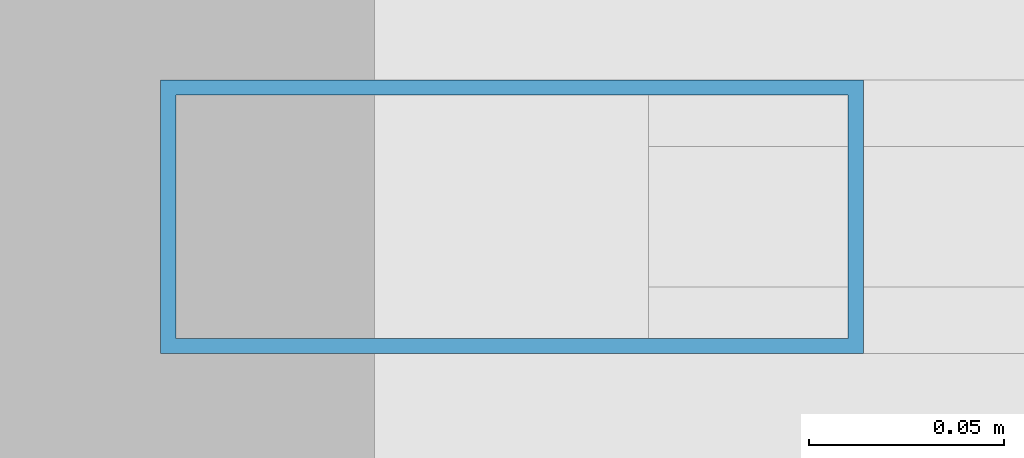
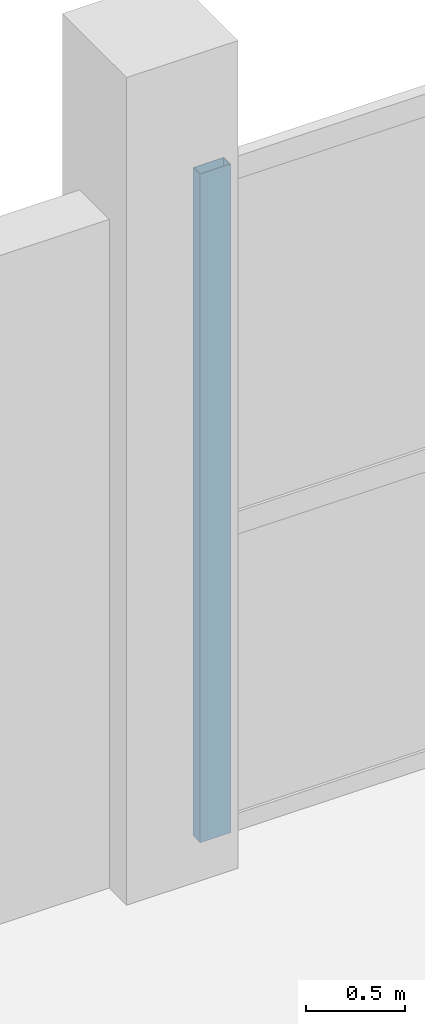
# One storey, part 44 of 66: 1 member, 1 element without a shape of its own.
"""IFC4 building model written with IfcOpenShell, lengths in metres."""

import ifcopenshell
import ifcopenshell.guid

model = None  # the IFC model being written
_history = None  # IfcOwnerHistory: only IFC2X3 demands one
_inside = {}  # id of a spatial element -> (the spatial element, [elements in it])
_under = {}  # id of a project, library or spatial element -> (it, [spatial elements below it])
_declared = {}  # id of a project -> (the project, [libraries it declares])
_typed = {}  # id of a type object -> (the type object, [elements of that type])
_made_of = {}  # id of a material, layer set ... -> (it, [elements and type objects made of it])


def new_model(schema):
    """Start an empty IFC model of exactly this schema.

    Asked for "IFC4X3", IfcOpenShell would pick the latest addendum, in which some entities
    have other attributes; the version numbers below select the first issue.
    IFC2X3 requires an IfcOwnerHistory on every rooted entity: one is made here for all.
    """
    global model, _history
    if schema == "IFC4X3":
        model = ifcopenshell.file(schema_version=(4, 3, 0, 0))
    else:
        model = ifcopenshell.file(schema=schema)
    _inside.clear()
    _under.clear()
    _declared.clear()
    _typed.clear()
    _made_of.clear()
    _history = None
    if model.schema == "IFC2X3":
        org = make("IfcOrganization", Name="unknown")
        user = make(
            "IfcPersonAndOrganization",
            ThePerson=make("IfcPerson", FamilyName="unknown"),
            TheOrganization=org,
        )
        app = make(
            "IfcApplication",
            ApplicationDeveloper=org,
            Version="unknown",
            ApplicationFullName="unknown",
            ApplicationIdentifier="unknown",
        )
        _history = make(
            "IfcOwnerHistory",
            OwningUser=user,
            OwningApplication=app,
            ChangeAction="ADDED",
            CreationDate=0,
        )
    return model


def make(cls, **values):
    """One entity of the class cls with the attributes given. An attribute that is None is left unset."""
    return model.create_entity(
        cls, **{name: value for name, value in values.items() if value is not None}
    )


def rooted(cls, **values):
    """An entity with a GlobalId (a new one), such as an element, a storey or a relation."""
    return make(cls, GlobalId=ifcopenshell.guid.new(), OwnerHistory=_history, **values)


def si_unit(unit_type, name, prefix=None):
    """IfcSIUnit, for example si_unit("LENGTHUNIT", "METRE", prefix="MILLI")."""
    return make("IfcSIUnit", UnitType=unit_type, Prefix=prefix, Name=name)


def assignment(units):
    """IfcUnitAssignment: the units of a project."""
    return None if units is None else make("IfcUnitAssignment", Units=units)


def point(xyz):
    """IfcCartesianPoint."""
    return None if xyz is None else make("IfcCartesianPoint", Coordinates=xyz)


def direction(xyz):
    """IfcDirection."""
    return None if xyz is None else make("IfcDirection", DirectionRatios=xyz)


def frame(location, z_axis=None, x_axis=None):
    """IfcAxis2Placement3D, a coordinate frame: its origin and axes. An axis left out is left unset."""
    return make(
        "IfcAxis2Placement3D",
        Location=point(location),
        Axis=direction(z_axis),
        RefDirection=direction(x_axis),
    )


def frame_2d(location, x_axis=None):
    """IfcAxis2Placement2D, a coordinate frame in the plane: its origin and x axis."""
    return make(
        "IfcAxis2Placement2D", Location=point(location), RefDirection=direction(x_axis)
    )


def origin():
    """The frame at (0, 0, 0) with its axes left unset."""
    return frame((0.0, 0.0, 0.0))


def origin_2d():
    """The frame at (0, 0) in the plane with its x axis left unset."""
    return frame_2d((0.0, 0.0))


def place(relative_to, where):
    """IfcLocalPlacement: puts the frame where relative to a parent placement (None: the world)."""
    return make(
        "IfcLocalPlacement", PlacementRelTo=relative_to, RelativePlacement=where
    )


def context(
    kind, dimensions, precision=None, world=None, true_north=None, identifier=None
):
    """IfcGeometricRepresentationContext, for example the 3D "Model" context."""
    return make(
        "IfcGeometricRepresentationContext",
        ContextIdentifier=identifier,
        ContextType=kind,
        CoordinateSpaceDimension=dimensions,
        Precision=precision,
        WorldCoordinateSystem=world,
        TrueNorth=true_north,
    )


def subcontext(parent, identifier, kind, view, scale=None):
    """IfcGeometricRepresentationSubContext, for example "Body" below "Model"."""
    return make(
        "IfcGeometricRepresentationSubContext",
        ContextIdentifier=identifier,
        ContextType=kind,
        ParentContext=parent,
        TargetScale=scale,
        TargetView=view,
    )


def project(units=None, contexts=None):
    """IfcProject with its units and contexts."""
    return rooted(
        "IfcProject",
        Name="project",
        RepresentationContexts=contexts,
        UnitsInContext=assignment(units),
    )


def spatial(cls, under=None, at=None, **own):
    """A site, building, storey or space (cls), placed at a placement, below another one or the project."""
    s = rooted(cls, ObjectPlacement=at, **own)
    if under is not None:
        _under.setdefault(under.id(), (under, []))[1].append(s)
    return s


def profile(cls, at=None, kind="AREA", **sizes):
    """A parametric profile (cls). Its sizes go by their IFC names, for example OverallWidth=200.0."""
    return make(cls, ProfileType=kind, Position=at, **sizes)


def hollow_rectangle(**sizes):
    """IfcRectangleHollowProfileDef."""
    return profile("IfcRectangleHollowProfileDef", **sizes)


def extrude(swept, where, along, depth):
    """IfcExtrudedAreaSolid: the profile swept, set in the frame where, extruded along a direction by depth."""
    return make(
        "IfcExtrudedAreaSolid",
        SweptArea=swept,
        Position=where,
        ExtrudedDirection=direction(along),
        Depth=depth,
    )


def shape(context_of_items, identifier, shape_type, items):
    """IfcShapeRepresentation: the items that make up one representation, for example the "Body"."""
    return make(
        "IfcShapeRepresentation",
        ContextOfItems=context_of_items,
        RepresentationIdentifier=identifier,
        RepresentationType=shape_type,
        Items=items,
    )


def material(Name=None, Category=None):
    """IfcMaterial."""
    return make("IfcMaterial", Name=Name, Category=Category)


def layer(
    of_material, thickness, ventilated=None, Name=None, Category=None, Priority=None
):
    """IfcMaterialLayer: one layer of a wall or slab, of a material (None: an air gap)."""
    return make(
        "IfcMaterialLayer",
        Material=of_material,
        LayerThickness=thickness,
        IsVentilated=ventilated,
        Name=Name,
        Category=Category,
        Priority=Priority,
    )


def layer_set(layers, Name=None):
    """IfcMaterialLayerSet."""
    return make("IfcMaterialLayerSet", MaterialLayers=layers, LayerSetName=Name)


def material_profile(
    of_material, cross_section, Name=None, Category=None, Priority=None
):
    """IfcMaterialProfile: a cross section and its material."""
    return make(
        "IfcMaterialProfile",
        Name=Name,
        Material=of_material,
        Profile=cross_section,
        Priority=Priority,
        Category=Category,
    )


def profile_set(profiles, Name=None, composite=None):
    """IfcMaterialProfileSet."""
    return make(
        "IfcMaterialProfileSet",
        Name=Name,
        MaterialProfiles=profiles,
        CompositeProfile=composite,
    )


def made_of(thing, what):
    """Note that an element or type object is made of a material, layer set ...; save() writes the relation."""
    if what is not None:
        _made_of.setdefault(what.id(), (what, []))[1].append(thing)
    return thing


def type_object(cls, material=None, **own):
    """A type object (cls), such as IfcWallType, which elements share."""
    return made_of(rooted(cls, **own), material)


def element(
    cls,
    number,
    at=None,
    inside=None,
    cuts=None,
    type_object=None,
    material=None,
    context=None,
    identifier="Body",
    shape_type=None,
    held_by="IfcProductDefinitionShape",
    body=None,
    shapes=None,
    **own,
):
    """One element of the class cls, such as IfcWall. Its Tag is "e" and its number.

    at: its placement. inside: the storey or other place that contains it. cuts: it is an
    opening in that element (IfcRelVoidsElement). A single representation is given by context,
    identifier, shape_type and body (its items); several are given by shapes. held_by: the class
    of the entity that holds the representations. save() writes the other relations.
    """
    e = rooted(cls, Tag="e%d" % number, ObjectPlacement=at, **own)
    if body is not None:
        shapes = [shape(context, identifier, shape_type, body)]
    if shapes is not None:
        e.Representation = make(held_by, Representations=shapes)
    if inside is not None:
        _inside.setdefault(inside.id(), (inside, []))[1].append(e)
    if cuts is not None:
        rooted(
            "IfcRelVoidsElement", RelatingBuildingElement=cuts, RelatedOpeningElement=e
        )
    if type_object is not None:
        _typed.setdefault(type_object.id(), (type_object, []))[1].append(e)
    return made_of(e, material)


def aggregate(whole, parts):
    """IfcRelAggregates: a whole, such as a stair, and the parts it consists of."""
    return rooted("IfcRelAggregates", RelatingObject=whole, RelatedObjects=parts)


def save(model, path):
    """Write the relations noted so far, then the file.

    IfcRelAggregates (storeys below a building ...), IfcRelContainedInSpatialStructure (elements
    in a storey), IfcRelDefinesByType, IfcRelAssociatesMaterial and IfcRelDeclares: one each for
    every whole, place, type object, material and project.
    """
    for whole, parts in _under.values():
        aggregate(whole, parts)
    for where, things in _inside.values():
        rooted(
            "IfcRelContainedInSpatialStructure",
            RelatedElements=things,
            RelatingStructure=where,
        )
    for kind, things in _typed.values():
        rooted("IfcRelDefinesByType", RelatedObjects=things, RelatingType=kind)
    for what, things in _made_of.values():
        rooted("IfcRelAssociatesMaterial", RelatedObjects=things, RelatingMaterial=what)
    for by, libraries in _declared.values():
        rooted("IfcRelDeclares", RelatingContext=by, RelatedDefinitions=libraries)
    model.write(path)


model = new_model("IFC4")

# Units and contexts
model_context = context("Model", 3, precision=1e-05, world=origin(), true_north=direction((0.0, 1.0)))
body_context = subcontext(model_context, "Body", "Model", "MODEL_VIEW")
ifc_project = project(units=[si_unit("LENGTHUNIT", "METRE"), si_unit("AREAUNIT", "SQUARE_METRE"), si_unit("VOLUMEUNIT", "CUBIC_METRE"), si_unit("PLANEANGLEUNIT", "RADIAN"), si_unit("MASSUNIT", "GRAM", prefix="KILO")], contexts=[model_context])

# Site, building, storey
site_placement = place(None, origin())
site = spatial("IfcSite", under=ifc_project, at=site_placement, CompositionType="ELEMENT")
building_placement = place(site_placement, origin())
building = spatial("IfcBuilding", under=site, at=building_placement, Name="Sillaruma Civic Art Gallery", CompositionType="ELEMENT")
storey_placement = place(building_placement, frame((0.0, 0.0, 57.1201171875)))
storey = spatial("IfcBuildingStorey", under=building, at=storey_placement, Name="L11", CompositionType="ELEMENT", Elevation=57.1201171875)

# Curtain wall, member
ifc_material = material(Name="Thermally Broken Extruded Aluminium 6063-T6", Category="aluminium")
ifc_layer = layer(ifc_material, 0.179931640625, Name="Thermally Broken Extruded Aluminium 6063-T6")
ifc_layer_set = layer_set([ifc_layer], Name="Thermally Broken Extruded Aluminium 6063-T6")
curtain_wall_type = type_object("IfcCurtainWallType", Name="CW-UNI-87", PredefinedType="NOTDEFINED", material=ifc_layer_set)
curtain_wall_placement = place(storey_placement, origin())
curtain_wall = element("IfcCurtainWall", 1, at=curtain_wall_placement, inside=storey, type_object=curtain_wall_type, Name="Unitised Curtain Wall CW-87 (CW-L11-EBN-2)", PredefinedType="NOTDEFINED")
ifc_material_profile = material_profile(ifc_material, hollow_rectangle(XDim=0.070068359375, YDim=0.179931640625, WallThickness=0.00390625, at=origin_2d()), Name="CWM70x180")
ifc_profile_set = profile_set([ifc_material_profile], Name="Thermally Broken Extruded Aluminium 6063-T6")
member_type = type_object("IfcMemberType", Name="MEM-MUL-CWM70x180", PredefinedType="MULLION", material=ifc_profile_set)
member_placement = place(storey_placement, frame((106.56005859375, 99.0, 0.0), z_axis=(0.0, 0.0, 1.0), x_axis=(0.0, 1.0, 0.0)))
member = element("IfcMember", 2, at=member_placement, type_object=member_type, Name="CW-87 mullion 1", PredefinedType="MULLION", context=body_context, shape_type="SweptSolid", body=[
    extrude(hollow_rectangle(XDim=0.070068359375, YDim=0.179931640625, WallThickness=0.00390625, at=origin_2d()), origin(), (0.0, 0.0, 1.0), 4.119873046875),
])
aggregate(curtain_wall, [member])

save(model, "model.ifc")
